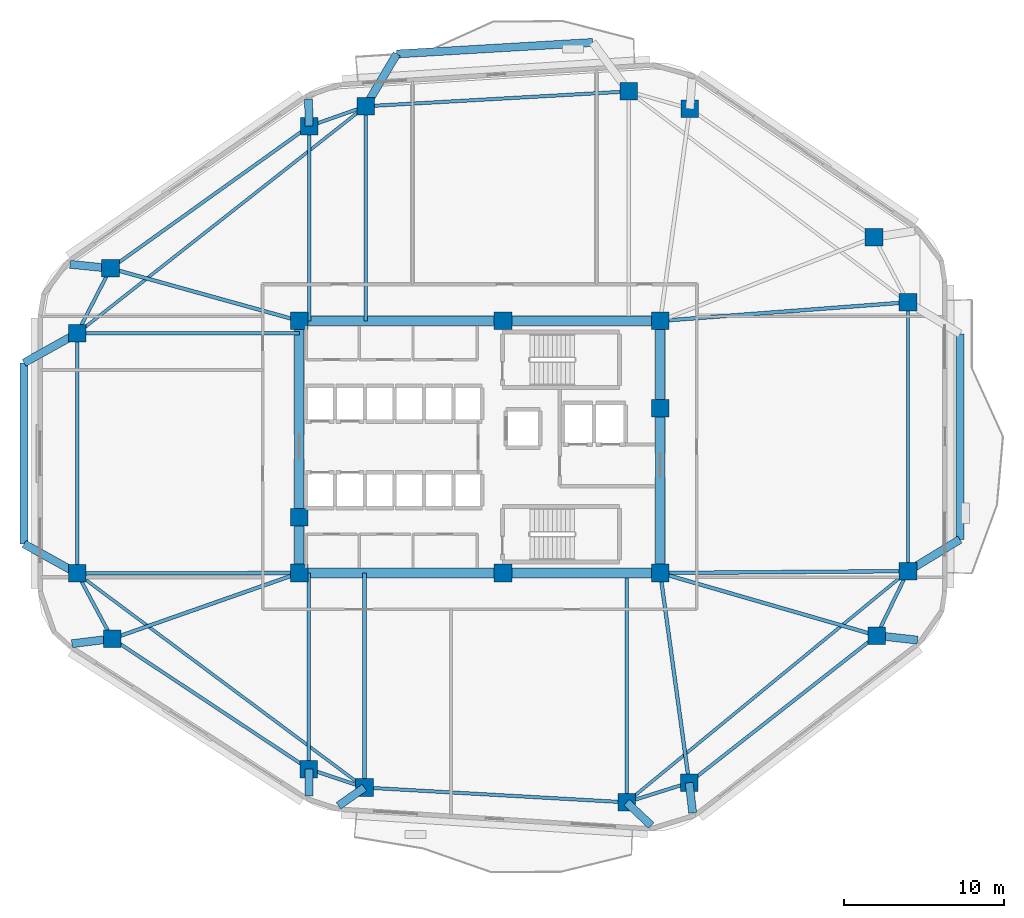
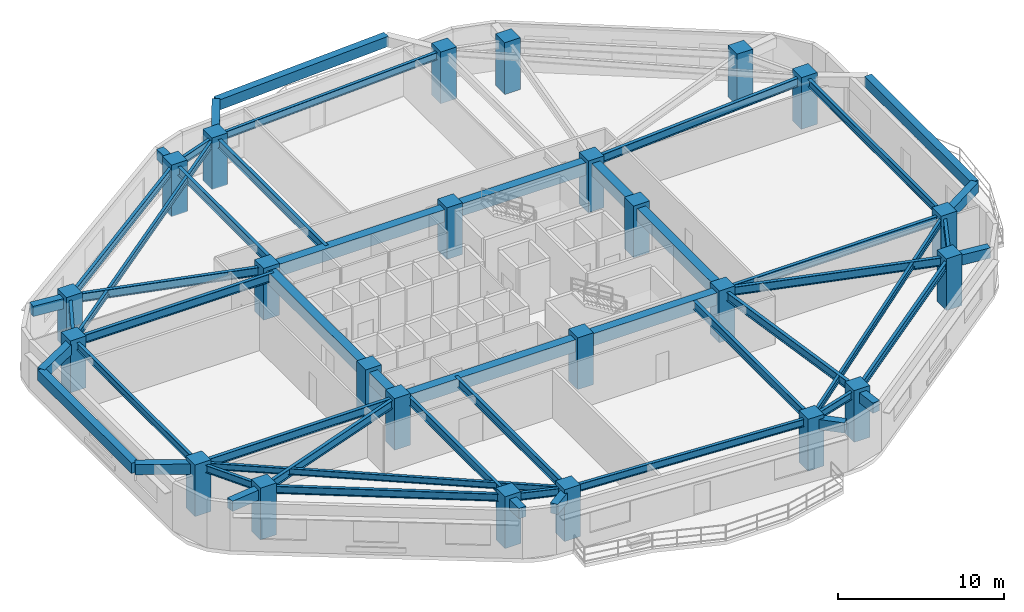
# One storey, part 1 of 9: 52 beams, 24 columns.
"""IFC4 building model written with IfcOpenShell, lengths in metres."""

from ifc_helpers import new_model, si_unit, direction, frame, origin, origin_2d, place, context, subcontext, project, spatial, rectangle, i_section, extrude, material, material_profile, profile_set, type_object, element, save


model = new_model("IFC4")

# Units and contexts
model_context = context("Model", 3, precision=1e-05, world=origin(), true_north=direction((0.0, 1.0)))
body_context = subcontext(model_context, "Body", "Model", "MODEL_VIEW")
ifc_project = project(units=[si_unit("LENGTHUNIT", "METRE"), si_unit("AREAUNIT", "SQUARE_METRE"), si_unit("VOLUMEUNIT", "CUBIC_METRE"), si_unit("PLANEANGLEUNIT", "RADIAN"), si_unit("MASSUNIT", "GRAM", prefix="KILO")], contexts=[model_context])

# Site, building, storey
site_placement = place(None, origin())
site = spatial("IfcSite", under=ifc_project, at=site_placement, CompositionType="ELEMENT")
building_placement = place(site_placement, origin())
building = spatial("IfcBuilding", under=site, at=building_placement, Name="Zulverin Broadcast Headquarters", CompositionType="ELEMENT")
storey_placement = place(building_placement, frame((0.0, 0.0, 112.39990234375)))
storey = spatial("IfcBuildingStorey", under=building, at=storey_placement, Name="L28", CompositionType="ELEMENT", Elevation=112.39990234375)

# Columns
ifc_material_1 = material(Name="Concrete C60/75", Category="concrete")
ifc_material_profile_1 = material_profile(ifc_material_1, rectangle(XDim=1.10009765625, YDim=1.10009765625, at=origin_2d()), Name="Concrete C60/75", Category="concrete")
ifc_profile_set_1 = profile_set([ifc_material_profile_1], Name="Concrete C60/75")
column_type_1 = type_object("IfcColumnType", Name="COL-RC-1100", PredefinedType="COLUMN", material=ifc_profile_set_1)
for number, where, z_axis, x_axis, name in (
    (1, (29.79638671875, 3.922119140625, 0.0), (0.0, 0.0, 1.0), (1.0, 0.0, 0.0), "L28 Perimeter Column T01"),
    (2, (46.175048828125, 2.997802734375, 0.0), (0.0, 0.0, 1.0), (1.0, 0.0, 0.0), "L28 Perimeter Column T02"),
    (3, (50.08056640625, 4.22509765625, 0.0), (0.0, 0.0, 1.0), (1.0, 0.0, 0.0), "L28 Perimeter Column T03"),
    (4, (61.79296875, 13.416259765625, 0.0), (0.0, 0.0, 1.0), (1.0, 0.0, 0.0), "L28 Perimeter Column T04"),
    (5, (63.75, 17.439697265625, 0.0), (0.0, 0.0, 1.0), (1.0, 0.0, 0.0), "L28 Perimeter Column T05"),
    (6, (63.75, 34.235107421875, 0.0), (0.0, 0.0, 1.0), (1.0, 0.0, 0.0), "L28 Perimeter Column T06"),
    (7, (61.630126953125, 38.298583984375, 0.0), (0.0, 0.0, 1.0), (1.0, 0.0, 0.0), "L28 Perimeter Column T07"),
    (8, (50.121826171875, 46.325927734375, 0.0), (0.0, 0.0, 1.0), (1.0, 0.0, 0.0), "L28 Perimeter Column T08"),
    (9, (46.30224609375, 47.4091796875, 0.0), (0.0, 0.0, 1.0), (1.0, 0.0, 0.0), "L28 Perimeter Column T09"),
    (10, (29.873779296875, 46.482177734375, 0.0), (0.0, 0.0, 1.0), (1.0, 0.0, 0.0), "L28 Perimeter Column T10"),
    (11, (26.344482421875, 45.23828125, 0.0), (0.0, 0.0, 1.0), (1.0, 0.0, 0.0), "L28 Perimeter Column T11"),
    (12, (13.934326171875, 36.353759765625, 0.0), (0.0, 0.0, 1.0), (1.0, 0.0, 0.0), "L28 Perimeter Column T12"),
    (13, (11.85009765625, 32.298095703125, 0.0), (0.0, 0.0, 1.0), (1.0, 0.0, 0.0), "L28 Perimeter Column T13"),
    (14, (11.85009765625, 17.297607421875, 0.0), (0.0, 0.0, 1.0), (1.0, 0.0, 0.0), "L28 Perimeter Column T14"),
    (15, (14.0390625, 13.219970703125, 0.0), (0.0, 0.0, 1.0), (1.0, 0.0, 0.0), "L28 Perimeter Column T15"),
    (16, (26.3251953125, 5.075927734375, 0.0), (0.0, 0.0, 1.0), (1.0, 0.0, 0.0), "L28 Perimeter Column T16"),
):
    element("IfcColumn", number, at=place(storey_placement, frame(where, z_axis=z_axis, x_axis=x_axis)), inside=storey, type_object=column_type_1, Name=name, PredefinedType="COLUMN", context=body_context, shape_type="SweptSolid", body=[
        extrude(rectangle(XDim=1.10009765625, YDim=1.10009765625, at=origin_2d()), origin(), (0.0, 0.0, 1.0), 3.800048828125),
    ])
ifc_material_profile_2 = material_profile(ifc_material_1, rectangle(XDim=1.10009765625, YDim=1.10009765625, at=origin_2d()), Name="Concrete C60/75", Category="concrete")
ifc_profile_set_2 = profile_set([ifc_material_profile_2], Name="Concrete C60/75")
column_type_2 = type_object("IfcColumnType", Name="PIL-RC-1100", PredefinedType="PILASTER", material=ifc_profile_set_2)
for number, where, z_axis, x_axis, name in (
    (17, (25.72509765625, 17.324951171875, 0.0), (0.0, 0.0, 1.0), (1.0, 0.0, 0.0), "L28 Core Pilaster K01"),
    (18, (38.449951171875, 17.324951171875, 0.0), (0.0, 0.0, 1.0), (1.0, 0.0, 0.0), "L28 Core Pilaster K02"),
    (19, (48.27490234375, 17.324951171875, 0.0), (0.0, 0.0, 1.0), (1.0, 0.0, 0.0), "L28 Core Pilaster K03"),
    (20, (48.27490234375, 27.6201171875, 0.0), (0.0, 0.0, 1.0), (1.0, 0.0, 0.0), "L28 Core Pilaster K04"),
    (21, (48.27490234375, 33.074951171875, 0.0), (0.0, 0.0, 1.0), (1.0, 0.0, 0.0), "L28 Core Pilaster K05"),
    (22, (38.449951171875, 33.074951171875, 0.0), (0.0, 0.0, 1.0), (1.0, 0.0, 0.0), "L28 Core Pilaster K06"),
    (23, (25.72509765625, 33.074951171875, 0.0), (0.0, 0.0, 1.0), (1.0, 0.0, 0.0), "L28 Core Pilaster K07"),
    (24, (25.72509765625, 20.800048828125, 0.0), (0.0, 0.0, 1.0), (1.0, 0.0, 0.0), "L28 Core Pilaster K08"),
):
    element("IfcColumn", number, at=place(storey_placement, frame(where, z_axis=z_axis, x_axis=x_axis)), inside=storey, type_object=column_type_2, Name=name, PredefinedType="PILASTER", context=body_context, shape_type="SweptSolid", body=[
        extrude(rectangle(XDim=1.10009765625, YDim=1.10009765625, at=origin_2d()), origin(), (0.0, 0.0, 1.0), 3.800048828125),
    ])

# Beams
ifc_material_profile_3 = material_profile(ifc_material_1, rectangle(XDim=0.60009765625, YDim=0.89990234375, at=origin_2d()), Name="Concrete C60/75", Category="concrete")
ifc_profile_set_3 = profile_set([ifc_material_profile_3], Name="Concrete C60/75")
beam_type_1 = type_object("IfcBeamType", Name="BM-CB-600x900", PredefinedType="LINTEL", material=ifc_profile_set_3)
beam_1_placement = place(storey_placement, frame((25.72509765625, 17.324951171875, 3.0751953125), z_axis=(1.0, 0.0, 0.0), x_axis=(0.0, 1.0, 0.0)))
element("IfcBeam", 25, at=beam_1_placement, inside=storey, type_object=beam_type_1, Name="L28 Core Coupling Girder K01-K02", PredefinedType="LINTEL", context=body_context, shape_type="SweptSolid", body=[
    extrude(rectangle(XDim=0.60009765625, YDim=0.89990234375, at=origin_2d()), origin(), (0.0, 0.0, 1.0), 12.724853515625),
])
beam_2_placement = place(storey_placement, frame((38.449951171875, 17.324951171875, 3.0751953125), z_axis=(1.0, 0.0, 0.0), x_axis=(0.0, 1.0, 0.0)))
element("IfcBeam", 26, at=beam_2_placement, inside=storey, type_object=beam_type_1, Name="L28 Core Coupling Girder K02-K03", PredefinedType="LINTEL", context=body_context, shape_type="SweptSolid", body=[
    extrude(rectangle(XDim=0.60009765625, YDim=0.89990234375, at=origin_2d()), origin(), (0.0, 0.0, 1.0), 9.824951171875),
])
beam_3_placement = place(storey_placement, frame((48.27490234375, 17.324951171875, 3.0751953125), z_axis=(0.0, 1.0, 0.0), x_axis=(-1.0, 0.0, 0.0)))
element("IfcBeam", 27, at=beam_3_placement, inside=storey, type_object=beam_type_1, Name="L28 Core Coupling Girder K03-K04", PredefinedType="LINTEL", context=body_context, shape_type="SweptSolid", body=[
    extrude(rectangle(XDim=0.60009765625, YDim=0.89990234375, at=origin_2d()), origin(), (0.0, 0.0, 1.0), 10.295166015625),
])
beam_4_placement = place(storey_placement, frame((48.27490234375, 27.6201171875, 3.0751953125), z_axis=(0.0, 1.0, 0.0), x_axis=(-1.0, 0.0, 0.0)))
element("IfcBeam", 28, at=beam_4_placement, inside=storey, type_object=beam_type_1, Name="L28 Core Coupling Girder K04-K05", PredefinedType="LINTEL", context=body_context, shape_type="SweptSolid", body=[
    extrude(rectangle(XDim=0.60009765625, YDim=0.89990234375, at=origin_2d()), origin(), (0.0, 0.0, 1.0), 5.454833984375),
])
beam_5_placement = place(storey_placement, frame((48.27490234375, 33.074951171875, 3.0751953125), z_axis=(-1.0, 0.0, 0.0), x_axis=(0.0, -1.0, 0.0)))
element("IfcBeam", 29, at=beam_5_placement, inside=storey, type_object=beam_type_1, Name="L28 Core Coupling Girder K05-K06", PredefinedType="LINTEL", context=body_context, shape_type="SweptSolid", body=[
    extrude(rectangle(XDim=0.60009765625, YDim=0.89990234375, at=origin_2d()), origin(), (0.0, 0.0, 1.0), 9.824951171875),
])
beam_6_placement = place(storey_placement, frame((38.449951171875, 33.074951171875, 3.0751953125), z_axis=(-1.0, 0.0, 0.0), x_axis=(0.0, -1.0, 0.0)))
element("IfcBeam", 30, at=beam_6_placement, inside=storey, type_object=beam_type_1, Name="L28 Core Coupling Girder K06-K07", PredefinedType="LINTEL", context=body_context, shape_type="SweptSolid", body=[
    extrude(rectangle(XDim=0.60009765625, YDim=0.89990234375, at=origin_2d()), origin(), (0.0, 0.0, 1.0), 12.724853515625),
])
beam_7_placement = place(storey_placement, frame((25.72509765625, 33.074951171875, 3.0751953125), z_axis=(0.0, -1.0, 0.0), x_axis=(1.0, 0.0, 0.0)))
element("IfcBeam", 31, at=beam_7_placement, inside=storey, type_object=beam_type_1, Name="L28 Core Coupling Girder K07-K08", PredefinedType="LINTEL", context=body_context, shape_type="SweptSolid", body=[
    extrude(rectangle(XDim=0.60009765625, YDim=0.89990234375, at=origin_2d()), origin(), (0.0, 0.0, 1.0), 12.27490234375),
])
beam_8_placement = place(storey_placement, frame((25.72509765625, 20.800048828125, 3.0751953125), z_axis=(0.0, -1.0, 0.0), x_axis=(1.0, 0.0, 0.0)))
element("IfcBeam", 32, at=beam_8_placement, inside=storey, type_object=beam_type_1, Name="L28 Core Coupling Girder K08-K01", PredefinedType="LINTEL", context=body_context, shape_type="SweptSolid", body=[
    extrude(rectangle(XDim=0.60009765625, YDim=0.89990234375, at=origin_2d()), origin(), (0.0, 0.0, 1.0), 3.47509765625),
])
ifc_material_2 = material(Name="Concrete C40/50", Category="concrete")
ifc_material_profile_4 = material_profile(ifc_material_2, rectangle(XDim=0.5, YDim=0.75, at=origin_2d()), Name="Concrete C40/50", Category="concrete")
ifc_profile_set_4 = profile_set([ifc_material_profile_4], Name="Concrete C40/50")
beam_type_2 = type_object("IfcBeamType", Name="BM-RC-500x750", PredefinedType="BEAM", material=ifc_profile_set_4)
beam_9_placement = place(storey_placement, frame((29.79638671875, 3.922119140625, 3.150146484375), z_axis=(-0.817789251944, -0.575517801119, 0.0), x_axis=(0.575517801119, -0.817789251944, 0.0)))
element("IfcBeam", 33, at=beam_9_placement, inside=storey, type_object=beam_type_2, Name="L29 Plate Overhang Back-Spanned Beam OVR-01", PredefinedType="BEAM", context=body_context, shape_type="SweptSolid", body=[
    extrude(rectangle(XDim=0.5, YDim=0.75, at=origin_2d()), origin(), (0.0, 0.0, 1.0), 1.983154296875),
])
beam_10_placement = place(storey_placement, frame((46.175048828125, 2.997802734375, 3.150146484375), z_axis=(0.727711332613, -0.685883529754, 0.0), x_axis=(0.685883529754, 0.727711332613, 0.0)))
element("IfcBeam", 34, at=beam_10_placement, inside=storey, type_object=beam_type_2, Name="L29 Plate Overhang Back-Spanned Beam OVR-02", PredefinedType="BEAM", context=body_context, shape_type="SweptSolid", body=[
    extrude(rectangle(XDim=0.5, YDim=0.75, at=origin_2d()), origin(), (0.0, 0.0, 1.0), 2.113037109375),
])
beam_11_placement = place(storey_placement, frame((50.08056640625, 4.22509765625, 3.150146484375), z_axis=(0.115916621896, -0.99325894749, 0.0), x_axis=(0.99325894749, 0.115916621896, 0.0)))
element("IfcBeam", 35, at=beam_11_placement, inside=storey, type_object=beam_type_2, Name="L29 Plate Overhang Back-Spanned Beam OVR-03", PredefinedType="BEAM", context=body_context, shape_type="SweptSolid", body=[
    extrude(rectangle(XDim=0.5, YDim=0.75, at=origin_2d()), origin(), (0.0, 0.0, 1.0), 1.899658203125),
])
beam_12_placement = place(storey_placement, frame((61.79296875, 13.416259765625, 3.150146484375), z_axis=(0.993797661948, -0.111203449166, 0.0), x_axis=(0.111203449166, 0.993797661948, 0.0)))
element("IfcBeam", 36, at=beam_12_placement, inside=storey, type_object=beam_type_2, Name="L29 Plate Overhang Back-Spanned Beam OVR-04", PredefinedType="BEAM", context=body_context, shape_type="SweptSolid", body=[
    extrude(rectangle(XDim=0.5, YDim=0.75, at=origin_2d()), origin(), (0.0, 0.0, 1.0), 2.568603515625),
])
beam_13_placement = place(storey_placement, frame((26.344482421875, 45.23828125, 3.150146484375), z_axis=(-0.025024345209, 0.999686842039, 0.0), x_axis=(-0.999686842039, -0.025024345209, 0.0)))
element("IfcBeam", 37, at=beam_13_placement, inside=storey, type_object=beam_type_2, Name="L29 Plate Overhang Back-Spanned Beam OVR-11", PredefinedType="BEAM", context=body_context, shape_type="SweptSolid", body=[
    extrude(rectangle(XDim=0.5, YDim=0.75, at=origin_2d()), origin(), (0.0, 0.0, 1.0), 1.707275390625),
])
beam_14_placement = place(storey_placement, frame((13.934326171875, 36.353759765625, 3.150146484375), z_axis=(-0.995008621602, 0.09978899207, 0.0), x_axis=(-0.09978899207, -0.995008621602, 0.0)))
element("IfcBeam", 38, at=beam_14_placement, inside=storey, type_object=beam_type_2, Name="L29 Plate Overhang Back-Spanned Beam OVR-12", PredefinedType="BEAM", context=body_context, shape_type="SweptSolid", body=[
    extrude(rectangle(XDim=0.5, YDim=0.75, at=origin_2d()), origin(), (0.0, 0.0, 1.0), 2.5419921875),
])
beam_15_placement = place(storey_placement, frame((14.0390625, 13.219970703125, 3.150146484375), z_axis=(-0.992258640565, -0.124188526941, 0.0), x_axis=(0.124188526941, -0.992258640565, 0.0)))
element("IfcBeam", 39, at=beam_15_placement, inside=storey, type_object=beam_type_2, Name="L29 Plate Overhang Back-Spanned Beam OVR-15", PredefinedType="BEAM", context=body_context, shape_type="SweptSolid", body=[
    extrude(rectangle(XDim=0.5, YDim=0.75, at=origin_2d()), origin(), (0.0, 0.0, 1.0), 2.5400390625),
])
beam_16_placement = place(storey_placement, frame((26.3251953125, 5.075927734375, 3.150146484375), z_axis=(0.006204786761, -0.999980750125, 0.0), x_axis=(0.999980750125, 0.006204786761, 0.0)))
element("IfcBeam", 40, at=beam_16_placement, inside=storey, type_object=beam_type_2, Name="L29 Plate Overhang Back-Spanned Beam OVR-16", PredefinedType="BEAM", context=body_context, shape_type="SweptSolid", body=[
    extrude(rectangle(XDim=0.5, YDim=0.75, at=origin_2d()), origin(), (0.0, 0.0, 1.0), 1.69189453125),
])
beam_17_placement = place(storey_placement, frame((63.75, 17.439697265625, 3.150146484375), z_axis=(0.853769010652, 0.520651972483, 0.0), x_axis=(-0.520651972483, 0.853769010652, 0.0)))
element("IfcBeam", 41, at=beam_17_placement, inside=storey, type_object=beam_type_2, Name="L29 Balcony Column-Framed Cantilever BAL_E-1", PredefinedType="BEAM", context=body_context, shape_type="SweptSolid", body=[
    extrude(rectangle(XDim=0.5, YDim=0.75, at=origin_2d()), origin(), (0.0, 0.0, 1.0), 3.800048828125),
])
beam_18_placement = place(storey_placement, frame((66.994384765625, 19.418212890625, 3.150146484375), z_axis=(0.000531985561, 0.999999858496, 0.0), x_axis=(-0.999999858496, 0.000531985561, 0.0)))
element("IfcBeam", 42, at=beam_18_placement, inside=storey, type_object=beam_type_2, Name="L29 Balcony Outer Edge Trimmer Beam BAL_E", PredefinedType="BEAM", context=body_context, shape_type="SweptSolid", body=[
    extrude(rectangle(XDim=0.5, YDim=0.75, at=origin_2d()), origin(), (0.0, 0.0, 1.0), 12.849853515625),
])
beam_19_placement = place(storey_placement, frame((29.873779296875, 46.482177734375, 3.150146484375), z_axis=(0.511024077234, 0.859566397952, 0.0), x_axis=(-0.859566397952, 0.511024077234, 0.0)))
element("IfcBeam", 43, at=beam_19_placement, inside=storey, type_object=beam_type_2, Name="L29 Balcony Column-Framed Cantilever BAL_N-2", PredefinedType="BEAM", context=body_context, shape_type="SweptSolid", body=[
    extrude(rectangle(XDim=0.5, YDim=0.75, at=origin_2d()), origin(), (0.0, 0.0, 1.0), 3.800048828125),
])
beam_20_placement = place(storey_placement, frame((44.049072265625, 50.46923828125, 3.150146484375), z_axis=(-0.998269148199, -0.058810779227, 0.0), x_axis=(0.058810779227, -0.998269148199, 0.0)))
element("IfcBeam", 44, at=beam_20_placement, inside=storey, type_object=beam_type_2, Name="L29 Balcony Outer Edge Trimmer Beam BAL_N", PredefinedType="BEAM", context=body_context, shape_type="SweptSolid", body=[
    extrude(rectangle(XDim=0.5, YDim=0.75, at=origin_2d()), origin(), (0.0, 0.0, 1.0), 12.254638671875),
])
beam_21_placement = place(storey_placement, frame((11.85009765625, 32.298095703125, 3.150146484375), z_axis=(-0.873763019306, -0.486351915893, 0.0), x_axis=(0.486351915893, -0.873763019306, 0.0)))
element("IfcBeam", 45, at=beam_21_placement, inside=storey, type_object=beam_type_2, Name="L29 Balcony Column-Framed Cantilever BAL_W-1", PredefinedType="BEAM", context=body_context, shape_type="SweptSolid", body=[
    extrude(rectangle(XDim=0.5, YDim=0.75, at=origin_2d()), origin(), (0.0, 0.0, 1.0), 3.800048828125),
])
beam_22_placement = place(storey_placement, frame((11.85009765625, 17.297607421875, 3.150146484375), z_axis=(-0.874363278793, 0.485271940975, 0.0), x_axis=(-0.485271940975, -0.874363278793, 0.0)))
element("IfcBeam", 46, at=beam_22_placement, inside=storey, type_object=beam_type_2, Name="L29 Balcony Column-Framed Cantilever BAL_W-2", PredefinedType="BEAM", context=body_context, shape_type="SweptSolid", body=[
    extrude(rectangle(XDim=0.5, YDim=0.75, at=origin_2d()), origin(), (0.0, 0.0, 1.0), 3.7998046875),
])
beam_23_placement = place(storey_placement, frame((8.52978515625, 30.449951171875, 3.150146484375), z_axis=(-0.000194304709, -0.999999981123, 0.0), x_axis=(0.999999981123, -0.000194304709, 0.0)))
element("IfcBeam", 47, at=beam_23_placement, inside=storey, type_object=beam_type_2, Name="L29 Balcony Outer Edge Trimmer Beam BAL_W", PredefinedType="BEAM", context=body_context, shape_type="SweptSolid", body=[
    extrude(rectangle(XDim=0.5, YDim=0.75, at=origin_2d()), origin(), (0.0, 0.0, 1.0), 11.308349609375),
])
ifc_material_3 = material(Name="Structural steel S355JR", Category="steel")
ifc_material_profile_5 = material_profile(ifc_material_3, i_section(OverallWidth=0.19287109375, OverallDepth=0.46728515625, WebThickness=0.011474609375, FlangeThickness=0.01953125, at=origin_2d()), Name="Structural steel S355JR", Category="steel")
ifc_profile_set_5 = profile_set([ifc_material_profile_5], Name="Structural steel S355JR")
beam_type_3 = type_object("IfcBeamType", Name="BM-UB-457", PredefinedType="JOIST", material=ifc_profile_set_5)
beam_24_placement = place(storey_placement, frame((46.175048828125, 2.997802734375, 3.29150390625), z_axis=(0.772611370623, 0.634879256224, 0.0), x_axis=(-0.634879256224, 0.772611370623, 0.0)))
element("IfcBeam", 48, at=beam_24_placement, inside=storey, type_object=beam_type_3, Name="L28 Chordal Floor Joist J-01", PredefinedType="JOIST", context=body_context, shape_type="SweptSolid", body=[
    extrude(i_section(OverallWidth=0.19287109375, OverallDepth=0.46728515625, WebThickness=0.011474609375, FlangeThickness=0.01953125, at=origin_2d()), origin(), (0.0, 0.0, 1.0), 22.74755859375),
])
beam_25_placement = place(storey_placement, frame((29.873779296875, 46.482177734375, 3.29150390625), z_axis=(-0.78583902739, -0.618431098047, 0.0), x_axis=(0.618431098047, -0.78583902739, 0.0)))
element("IfcBeam", 49, at=beam_25_placement, inside=storey, type_object=beam_type_3, Name="L28 Chordal Floor Joist J-03", PredefinedType="JOIST", context=body_context, shape_type="SweptSolid", body=[
    extrude(i_section(OverallWidth=0.19287109375, OverallDepth=0.46728515625, WebThickness=0.011474609375, FlangeThickness=0.01953125, at=origin_2d()), origin(), (0.0, 0.0, 1.0), 22.935546875),
])
beam_26_placement = place(storey_placement, frame((11.85009765625, 17.297607421875, 3.29150390625), z_axis=(0.801802688634, -0.59758886243, 0.0), x_axis=(0.59758886243, 0.801802688634, 0.0)))
element("IfcBeam", 50, at=beam_26_placement, inside=storey, type_object=beam_type_3, Name="L28 Chordal Floor Joist J-04", PredefinedType="JOIST", context=body_context, shape_type="SweptSolid", body=[
    extrude(i_section(OverallWidth=0.19287109375, OverallDepth=0.46728515625, WebThickness=0.011474609375, FlangeThickness=0.01953125, at=origin_2d()), origin(), (0.0, 0.0, 1.0), 22.38232421875),
])
ifc_material_profile_6 = material_profile(ifc_material_3, i_section(OverallWidth=0.2119140625, OverallDepth=0.54443359375, WebThickness=0.0126953125, FlangeThickness=0.021240234375, at=origin_2d()), Name="Structural steel S355JR", Category="steel")
ifc_profile_set_6 = profile_set([ifc_material_profile_6], Name="Structural steel S355JR")
beam_type_4 = type_object("IfcBeamType", Name="BM-UB-533", PredefinedType="SPANDREL", material=ifc_profile_set_6)
beam_27_placement = place(storey_placement, frame((29.79638671875, 3.922119140625, 3.252685546875), z_axis=(0.998411385104, -0.056344530297, 0.0), x_axis=(0.056344530297, 0.998411385104, 0.0)))
element("IfcBeam", 51, at=beam_27_placement, inside=storey, type_object=beam_type_4, Name="L28 Perimeter Spandrel Beam SP-01", PredefinedType="SPANDREL", context=body_context, shape_type="SweptSolid", body=[
    extrude(i_section(OverallWidth=0.2119140625, OverallDepth=0.54443359375, WebThickness=0.0126953125, FlangeThickness=0.021240234375, at=origin_2d()), origin(), (0.0, 0.0, 1.0), 16.40478515625),
])
beam_28_placement = place(storey_placement, frame((46.175048828125, 2.997802734375, 3.252685546875), z_axis=(0.954004438448, 0.299792480595, 0.0), x_axis=(-0.299792480595, 0.954004438448, 0.0)))
element("IfcBeam", 52, at=beam_28_placement, inside=storey, type_object=beam_type_4, Name="L28 Perimeter Spandrel Beam SP-02", PredefinedType="SPANDREL", context=body_context, shape_type="SweptSolid", body=[
    extrude(i_section(OverallWidth=0.2119140625, OverallDepth=0.54443359375, WebThickness=0.0126953125, FlangeThickness=0.021240234375, at=origin_2d()), origin(), (0.0, 0.0, 1.0), 4.09375),
])
beam_29_placement = place(storey_placement, frame((50.08056640625, 4.22509765625, 3.252685546875), z_axis=(0.786691476208, 0.617346354376, 0.0), x_axis=(-0.617346354376, 0.786691476208, 0.0)))
element("IfcBeam", 53, at=beam_29_placement, inside=storey, type_object=beam_type_4, Name="L28 Perimeter Spandrel Beam SP-03", PredefinedType="SPANDREL", context=body_context, shape_type="SweptSolid", body=[
    extrude(i_section(OverallWidth=0.2119140625, OverallDepth=0.54443359375, WebThickness=0.0126953125, FlangeThickness=0.021240234375, at=origin_2d()), origin(), (0.0, 0.0, 1.0), 14.88818359375),
])
beam_30_placement = place(storey_placement, frame((61.79296875, 13.416259765625, 3.252685546875), z_axis=(0.437408475872, 0.899262934428, 0.0), x_axis=(-0.899262934428, 0.437408475872, 0.0)))
element("IfcBeam", 54, at=beam_30_placement, inside=storey, type_object=beam_type_4, Name="L28 Perimeter Spandrel Beam SP-04", PredefinedType="SPANDREL", context=body_context, shape_type="SweptSolid", body=[
    extrude(i_section(OverallWidth=0.2119140625, OverallDepth=0.54443359375, WebThickness=0.0126953125, FlangeThickness=0.021240234375, at=origin_2d()), origin(), (0.0, 0.0, 1.0), 4.47412109375),
])
beam_31_placement = place(storey_placement, frame((63.75, 17.439697265625, 3.252685546875), z_axis=(0.0, 1.0, 0.0), x_axis=(-1.0, 0.0, 0.0)))
element("IfcBeam", 55, at=beam_31_placement, inside=storey, type_object=beam_type_4, Name="L28 Perimeter Spandrel Beam SP-05", PredefinedType="SPANDREL", context=body_context, shape_type="SweptSolid", body=[
    extrude(i_section(OverallWidth=0.2119140625, OverallDepth=0.54443359375, WebThickness=0.0126953125, FlangeThickness=0.021240234375, at=origin_2d()), origin(), (0.0, 0.0, 1.0), 16.79541015625),
])
beam_32_placement = place(storey_placement, frame((46.30224609375, 47.4091796875, 3.252685546875), z_axis=(-0.998411812904, -0.056336949274, 0.0), x_axis=(0.056336949274, -0.998411812904, 0.0)))
element("IfcBeam", 56, at=beam_32_placement, inside=storey, type_object=beam_type_4, Name="L28 Perimeter Spandrel Beam SP-09", PredefinedType="SPANDREL", context=body_context, shape_type="SweptSolid", body=[
    extrude(i_section(OverallWidth=0.2119140625, OverallDepth=0.54443359375, WebThickness=0.0126953125, FlangeThickness=0.021240234375, at=origin_2d()), origin(), (0.0, 0.0, 1.0), 16.45458984375),
])
beam_33_placement = place(storey_placement, frame((29.873779296875, 46.482177734375, 3.252685546875), z_axis=(-0.943135983398, -0.332407155189, 0.0), x_axis=(0.332407155189, -0.943135983398, 0.0)))
element("IfcBeam", 57, at=beam_33_placement, inside=storey, type_object=beam_type_4, Name="L28 Perimeter Spandrel Beam SP-10", PredefinedType="SPANDREL", context=body_context, shape_type="SweptSolid", body=[
    extrude(i_section(OverallWidth=0.2119140625, OverallDepth=0.54443359375, WebThickness=0.0126953125, FlangeThickness=0.021240234375, at=origin_2d()), origin(), (0.0, 0.0, 1.0), 3.7421875),
])
beam_34_placement = place(storey_placement, frame((26.344482421875, 45.23828125, 3.252685546875), z_axis=(-0.813109374453, -0.582110938891, 0.0), x_axis=(0.582110938891, -0.813109374453, 0.0)))
element("IfcBeam", 58, at=beam_34_placement, inside=storey, type_object=beam_type_4, Name="L28 Perimeter Spandrel Beam SP-11", PredefinedType="SPANDREL", context=body_context, shape_type="SweptSolid", body=[
    extrude(i_section(OverallWidth=0.2119140625, OverallDepth=0.54443359375, WebThickness=0.0126953125, FlangeThickness=0.021240234375, at=origin_2d()), origin(), (0.0, 0.0, 1.0), 15.2626953125),
])
beam_35_placement = place(storey_placement, frame((13.934326171875, 36.353759765625, 3.252685546875), z_axis=(-0.457080631948, -0.889425261558, 0.0), x_axis=(0.889425261558, -0.457080631948, 0.0)))
element("IfcBeam", 59, at=beam_35_placement, inside=storey, type_object=beam_type_4, Name="L28 Perimeter Spandrel Beam SP-12", PredefinedType="SPANDREL", context=body_context, shape_type="SweptSolid", body=[
    extrude(i_section(OverallWidth=0.2119140625, OverallDepth=0.54443359375, WebThickness=0.0126953125, FlangeThickness=0.021240234375, at=origin_2d()), origin(), (0.0, 0.0, 1.0), 4.559814453125),
])
beam_36_placement = place(storey_placement, frame((11.85009765625, 32.298095703125, 3.252685546875), z_axis=(0.0, -1.0, 0.0), x_axis=(1.0, 0.0, 0.0)))
element("IfcBeam", 60, at=beam_36_placement, inside=storey, type_object=beam_type_4, Name="L28 Perimeter Spandrel Beam SP-13", PredefinedType="SPANDREL", context=body_context, shape_type="SweptSolid", body=[
    extrude(i_section(OverallWidth=0.2119140625, OverallDepth=0.54443359375, WebThickness=0.0126953125, FlangeThickness=0.021240234375, at=origin_2d()), origin(), (0.0, 0.0, 1.0), 15.00048828125),
])
beam_37_placement = place(storey_placement, frame((11.85009765625, 17.297607421875, 3.252685546875), z_axis=(0.472979536362, -0.881073412482, 0.0), x_axis=(0.881073412482, 0.472979536362, 0.0)))
element("IfcBeam", 61, at=beam_37_placement, inside=storey, type_object=beam_type_4, Name="L28 Perimeter Spandrel Beam SP-14", PredefinedType="SPANDREL", context=body_context, shape_type="SweptSolid", body=[
    extrude(i_section(OverallWidth=0.2119140625, OverallDepth=0.54443359375, WebThickness=0.0126953125, FlangeThickness=0.021240234375, at=origin_2d()), origin(), (0.0, 0.0, 1.0), 4.6279296875),
])
beam_38_placement = place(storey_placement, frame((14.0390625, 13.219970703125, 3.252685546875), z_axis=(0.833510030956, -0.552504324232, 0.0), x_axis=(0.552504324232, 0.833510030956, 0.0)))
element("IfcBeam", 62, at=beam_38_placement, inside=storey, type_object=beam_type_4, Name="L28 Perimeter Spandrel Beam SP-15", PredefinedType="SPANDREL", context=body_context, shape_type="SweptSolid", body=[
    extrude(i_section(OverallWidth=0.2119140625, OverallDepth=0.54443359375, WebThickness=0.0126953125, FlangeThickness=0.021240234375, at=origin_2d()), origin(), (0.0, 0.0, 1.0), 14.740234375),
])
beam_39_placement = place(storey_placement, frame((26.3251953125, 5.075927734375, 3.252685546875), z_axis=(0.948949931395, -0.315426739047, 0.0), x_axis=(0.315426739047, 0.948949931395, 0.0)))
element("IfcBeam", 63, at=beam_39_placement, inside=storey, type_object=beam_type_4, Name="L28 Perimeter Spandrel Beam SP-16", PredefinedType="SPANDREL", context=body_context, shape_type="SweptSolid", body=[
    extrude(i_section(OverallWidth=0.2119140625, OverallDepth=0.54443359375, WebThickness=0.0126953125, FlangeThickness=0.021240234375, at=origin_2d()), origin(), (0.0, 0.0, 1.0), 3.657958984375),
])
ifc_material_profile_7 = material_profile(ifc_material_3, i_section(OverallWidth=0.230224609375, OverallDepth=0.6171875, WebThickness=0.01318359375, FlangeThickness=0.022216796875, at=origin_2d()), Name="Structural steel S355JR", Category="steel")
ifc_profile_set_7 = profile_set([ifc_material_profile_7], Name="Structural steel S355JR")
beam_type_5 = type_object("IfcBeamType", Name="BM-UB-610", PredefinedType="BEAM", material=ifc_profile_set_7)
beam_40_placement = place(storey_placement, frame((29.79638671875, 17.324951171875, 3.216552734375), z_axis=(0.0, -1.0, 0.0), x_axis=(1.0, 0.0, 0.0)))
element("IfcBeam", 64, at=beam_40_placement, inside=storey, type_object=beam_type_5, Name="L28 Radial Primary Floor Beam RB-01", PredefinedType="BEAM", context=body_context, shape_type="SweptSolid", body=[
    extrude(i_section(OverallWidth=0.230224609375, OverallDepth=0.6171875, WebThickness=0.01318359375, FlangeThickness=0.022216796875, at=origin_2d()), origin(), (0.0, 0.0, 1.0), 13.40283203125),
])
beam_41_placement = place(storey_placement, frame((46.175048828125, 17.324951171875, 3.216552734375), z_axis=(0.0, -1.0, 0.0), x_axis=(1.0, 0.0, 0.0)))
element("IfcBeam", 65, at=beam_41_placement, inside=storey, type_object=beam_type_5, Name="L28 Radial Primary Floor Beam RB-02", PredefinedType="BEAM", context=body_context, shape_type="SweptSolid", body=[
    extrude(i_section(OverallWidth=0.230224609375, OverallDepth=0.6171875, WebThickness=0.01318359375, FlangeThickness=0.022216796875, at=origin_2d()), origin(), (0.0, 0.0, 1.0), 14.3271484375),
])
beam_42_placement = place(storey_placement, frame((48.27490234375, 17.324951171875, 3.216552734375), z_axis=(0.136547433081, -0.990633533916, 0.0), x_axis=(0.990633533916, 0.136547433081, 0.0)))
element("IfcBeam", 66, at=beam_42_placement, inside=storey, type_object=beam_type_5, Name="L28 Radial Primary Floor Beam RB-03", PredefinedType="BEAM", context=body_context, shape_type="SweptSolid", body=[
    extrude(i_section(OverallWidth=0.230224609375, OverallDepth=0.6171875, WebThickness=0.01318359375, FlangeThickness=0.022216796875, at=origin_2d()), origin(), (0.0, 0.0, 1.0), 13.2236328125),
])
beam_43_placement = place(storey_placement, frame((48.27490234375, 17.324951171875, 3.216552734375), z_axis=(0.960648363311, -0.277767388416, 0.0), x_axis=(0.277767388416, 0.960648363311, 0.0)))
element("IfcBeam", 67, at=beam_43_placement, inside=storey, type_object=beam_type_5, Name="L28 Radial Primary Floor Beam RB-04", PredefinedType="BEAM", context=body_context, shape_type="SweptSolid", body=[
    extrude(i_section(OverallWidth=0.230224609375, OverallDepth=0.6171875, WebThickness=0.01318359375, FlangeThickness=0.022216796875, at=origin_2d()), origin(), (0.0, 0.0, 1.0), 14.07177734375),
])
beam_44_placement = place(storey_placement, frame((48.27490234375, 17.324951171875, 3.216552734375), z_axis=(0.999972510862, 0.007414682739, 0.0), x_axis=(-0.007414682739, 0.999972510862, 0.0)))
element("IfcBeam", 68, at=beam_44_placement, inside=storey, type_object=beam_type_5, Name="L28 Radial Primary Floor Beam RB-05", PredefinedType="BEAM", context=body_context, shape_type="SweptSolid", body=[
    extrude(i_section(OverallWidth=0.230224609375, OverallDepth=0.6171875, WebThickness=0.01318359375, FlangeThickness=0.022216796875, at=origin_2d()), origin(), (0.0, 0.0, 1.0), 15.4755859375),
])
beam_45_placement = place(storey_placement, frame((48.27490234375, 33.074951171875, 3.216552734375), z_axis=(0.997201597387, 0.074759442003, 0.0), x_axis=(-0.074759442003, 0.997201597387, 0.0)))
element("IfcBeam", 69, at=beam_45_placement, inside=storey, type_object=beam_type_5, Name="L28 Radial Primary Floor Beam RB-06", PredefinedType="BEAM", context=body_context, shape_type="SweptSolid", body=[
    extrude(i_section(OverallWidth=0.230224609375, OverallDepth=0.6171875, WebThickness=0.01318359375, FlangeThickness=0.022216796875, at=origin_2d()), origin(), (0.0, 0.0, 1.0), 15.5185546875),
])
beam_46_placement = place(storey_placement, frame((29.873779296875, 33.074951171875, 3.216552734375), z_axis=(0.0, 1.0, 0.0), x_axis=(-1.0, 0.0, 0.0)))
element("IfcBeam", 70, at=beam_46_placement, inside=storey, type_object=beam_type_5, Name="L28 Radial Primary Floor Beam RB-10", PredefinedType="BEAM", context=body_context, shape_type="SweptSolid", body=[
    extrude(i_section(OverallWidth=0.230224609375, OverallDepth=0.6171875, WebThickness=0.01318359375, FlangeThickness=0.022216796875, at=origin_2d()), origin(), (0.0, 0.0, 1.0), 13.4072265625),
])
beam_47_placement = place(storey_placement, frame((26.344482421875, 33.074951171875, 3.216552734375), z_axis=(0.0, 1.0, 0.0), x_axis=(-1.0, 0.0, 0.0)))
element("IfcBeam", 71, at=beam_47_placement, inside=storey, type_object=beam_type_5, Name="L28 Radial Primary Floor Beam RB-11", PredefinedType="BEAM", context=body_context, shape_type="SweptSolid", body=[
    extrude(i_section(OverallWidth=0.230224609375, OverallDepth=0.6171875, WebThickness=0.01318359375, FlangeThickness=0.022216796875, at=origin_2d()), origin(), (0.0, 0.0, 1.0), 12.163330078125),
])
beam_48_placement = place(storey_placement, frame((25.72509765625, 33.074951171875, 3.216552734375), z_axis=(-0.963442133037, 0.267916509922, 0.0), x_axis=(-0.267916509922, -0.963442133037, 0.0)))
element("IfcBeam", 72, at=beam_48_placement, inside=storey, type_object=beam_type_5, Name="L28 Radial Primary Floor Beam RB-12", PredefinedType="BEAM", context=body_context, shape_type="SweptSolid", body=[
    extrude(i_section(OverallWidth=0.230224609375, OverallDepth=0.6171875, WebThickness=0.01318359375, FlangeThickness=0.022216796875, at=origin_2d()), origin(), (0.0, 0.0, 1.0), 12.23828125),
])
for number, where, z_axis, x_axis, name in (
    (73, (25.72509765625, 32.298095703125, 3.216552734375), (-1.0, 0.0, 0.0), (0.0, -1.0, 0.0), "L28 Radial Primary Floor Beam RB-13"),
    (74, (25.72509765625, 17.324951171875, 3.216552734375), (-0.999998058136, -0.001970716894, 0.0), (0.001970716894, -0.999998058136, 0.0), "L28 Radial Primary Floor Beam RB-14"),
):
    element("IfcBeam", number, at=place(storey_placement, frame(where, z_axis=z_axis, x_axis=x_axis)), inside=storey, type_object=beam_type_5, Name=name, PredefinedType="BEAM", context=body_context, shape_type="SweptSolid", body=[
        extrude(i_section(OverallWidth=0.230224609375, OverallDepth=0.6171875, WebThickness=0.01318359375, FlangeThickness=0.022216796875, at=origin_2d()), origin(), (0.0, 0.0, 1.0), 13.875),
    ])
beam_49_placement = place(storey_placement, frame((25.72509765625, 17.324951171875, 3.216552734375), z_axis=(-0.943483462345, -0.331419607569, 0.0), x_axis=(0.331419607569, -0.943483462345, 0.0)))
element("IfcBeam", 75, at=beam_49_placement, inside=storey, type_object=beam_type_5, Name="L28 Radial Primary Floor Beam RB-15", PredefinedType="BEAM", context=body_context, shape_type="SweptSolid", body=[
    extrude(i_section(OverallWidth=0.230224609375, OverallDepth=0.6171875, WebThickness=0.01318359375, FlangeThickness=0.022216796875, at=origin_2d()), origin(), (0.0, 0.0, 1.0), 12.385986328125),
])
beam_50_placement = place(storey_placement, frame((26.3251953125, 17.324951171875, 3.216552734375), z_axis=(0.0, -1.0, 0.0), x_axis=(1.0, 0.0, 0.0)))
element("IfcBeam", 76, at=beam_50_placement, inside=storey, type_object=beam_type_5, Name="L28 Radial Primary Floor Beam RB-16", PredefinedType="BEAM", context=body_context, shape_type="SweptSolid", body=[
    extrude(i_section(OverallWidth=0.230224609375, OverallDepth=0.6171875, WebThickness=0.01318359375, FlangeThickness=0.022216796875, at=origin_2d()), origin(), (0.0, 0.0, 1.0), 12.2490234375),
])

save(model, "model.ifc")
